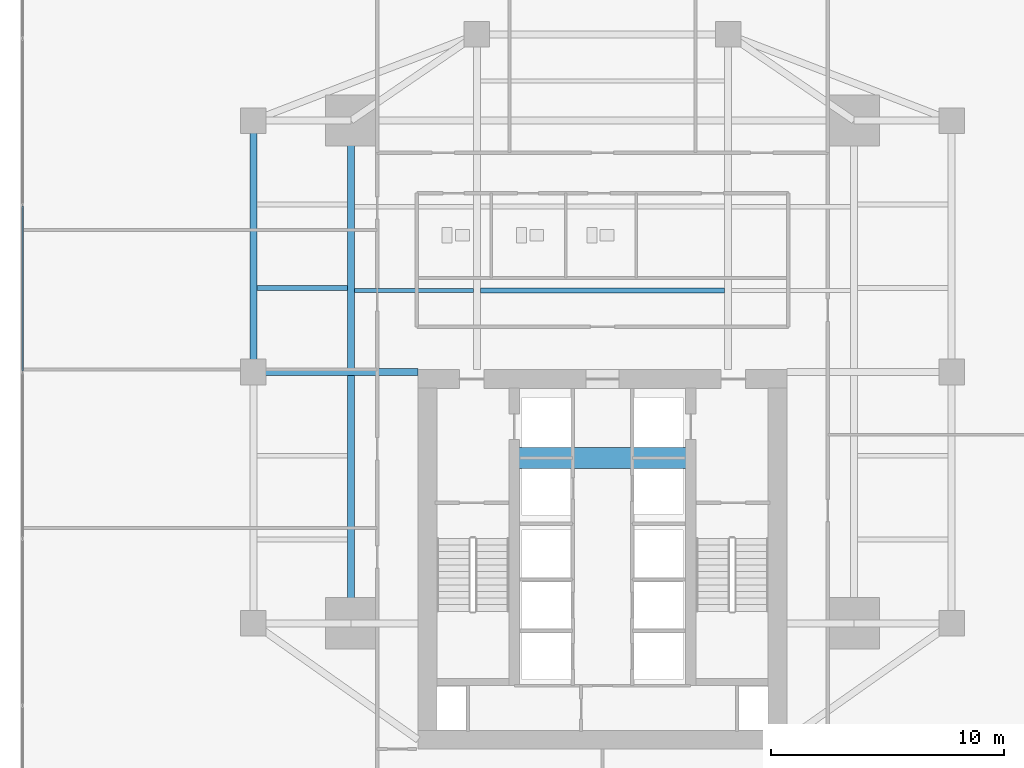
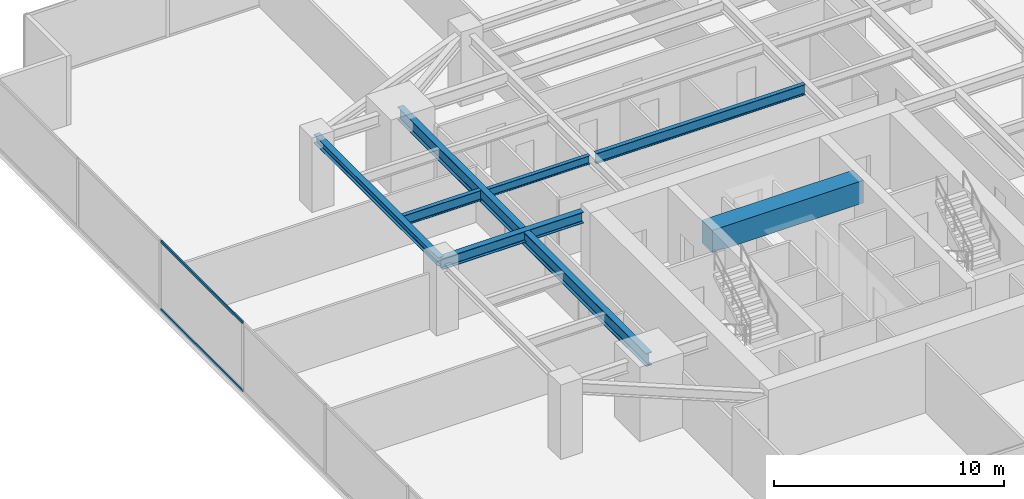
# One storey, part 9 of 28: 7 beams, 2 members, 1 element without a shape of its own.
"""IFC4 building model written with IfcOpenShell, lengths in metres."""

from ifc_helpers import new_model, si_unit, direction, frame, origin, origin_2d, place, context, subcontext, project, spatial, rectangle, hollow_rectangle, i_section, extrude, source, transform, mapped, material, material_profile, profile_set, type_object, type_shapes, element, aggregate, save


model = new_model("IFC4")

# Units and contexts
model_context = context("Model", 3, precision=1e-05, world=origin(), true_north=direction((0.0, 1.0)))
body_context = subcontext(model_context, "Body", "Model", "MODEL_VIEW")
ifc_project = project(units=[si_unit("LENGTHUNIT", "METRE"), si_unit("AREAUNIT", "SQUARE_METRE"), si_unit("VOLUMEUNIT", "CUBIC_METRE"), si_unit("PLANEANGLEUNIT", "RADIAN"), si_unit("MASSUNIT", "GRAM", prefix="KILO")], contexts=[model_context])

# Site, building, storey
site_placement = place(None, origin())
site = spatial("IfcSite", under=ifc_project, at=site_placement, CompositionType="ELEMENT")
building_placement = place(site_placement, origin())
building = spatial("IfcBuilding", under=site, at=building_placement, Name="Krantzveldt Concourse Tower", CompositionType="ELEMENT")
storey_placement = place(building_placement, frame((0.0, 0.0, 32.89990234375)))
storey = spatial("IfcBuildingStorey", under=building, at=storey_placement, Name="L07", CompositionType="ELEMENT", Elevation=32.89990234375)

# Beams
ifc_material_1 = material(Name="Concrete C50/60", Category="concrete")
ifc_material_profile_1 = material_profile(ifc_material_1, rectangle(XDim=0.89990234375, YDim=1.199951171875, at=origin_2d()), Name="Concrete C50/60", Category="concrete")
ifc_profile_set_1 = profile_set([ifc_material_profile_1], Name="Concrete C50/60 - RC-CB 900x1200")
beam_type_1 = type_object("IfcBeamType", Name="BM-CB-1200", PredefinedType="LINTEL", material=ifc_profile_set_1)
shared_shape_1 = source(origin(), body_context, "Body", "SweptSolid", [
    extrude(rectangle(XDim=0.89990234375, YDim=1.199951171875, at=origin_2d()), origin(), (0.0, 0.0, 1.0), 7.580078125),
])
type_shapes(beam_type_1, [shared_shape_1])
beam_1_placement = place(storey_placement, frame((32.2099609375, 23.0, 3.070068359375), z_axis=(1.0, 0.0, 0.0), x_axis=(0.0, 1.0, 0.0)))
element("IfcBeam", 1, at=beam_1_placement, inside=storey, type_object=beam_type_1, Name="CB-L07-01", PredefinedType="LINTEL", context=body_context, shape_type="MappedRepresentation", body=[
    mapped(shared_shape_1, transform((0.0, 0.0, 0.0), x_axis=(1.0, 0.0, 0.0), y_axis=(0.0, 1.0, 0.0), z_axis=(0.0, 0.0, 1.0), scale=1.0)),
])
ifc_material_2 = material(Name="Steel S355J2", Category="steel")
ifc_material_profile_2 = material_profile(ifc_material_2, i_section(OverallWidth=0.300048828125, OverallDepth=0.699951171875, WebThickness=0.01708984375, FlangeThickness=0.031982421875, FilletRadius=0.027099609375, at=origin_2d()), Name="Steel S355J2", Category="steel")
ifc_profile_set_2 = profile_set([ifc_material_profile_2], Name="Steel S355J2 - HEB 700")
beam_type_2 = type_object("IfcBeamType", Name="BM-B-HEB700", PredefinedType="BEAM", material=ifc_profile_set_2)
shared_shape_2 = source(origin(), body_context, "Body", "SweptSolid", [
    extrude(i_section(OverallWidth=0.300048828125, OverallDepth=0.699951171875, WebThickness=0.01708984375, FlangeThickness=0.031982421875, FilletRadius=0.027099609375, at=origin_2d()), origin(), (0.0, 0.0, 1.0), 21.60009765625),
])
type_shapes(beam_type_2, [shared_shape_2])
beam_2_placement = place(storey_placement, frame((25.199951171875, 15.89990234375, 3.320068359375), z_axis=(0.0, 1.0, 0.0), x_axis=(-1.0, 0.0, 0.0)))
element("IfcBeam", 2, at=beam_2_placement, inside=storey, type_object=beam_type_2, Name="L07 Tower Girder BG-MW", PredefinedType="BEAM", context=body_context, shape_type="MappedRepresentation", body=[
    mapped(shared_shape_2, transform((0.0, 0.0, 0.0), x_axis=(1.0, 0.0, 0.0), y_axis=(0.0, 1.0, 0.0), z_axis=(0.0, 0.0, 1.0), scale=1.0)),
])
ifc_material_3 = material(Name="Steel S355JR", Category="steel")
ifc_material_profile_3 = material_profile(ifc_material_3, i_section(OverallWidth=0.300048828125, OverallDepth=0.590087890625, WebThickness=0.012939453125, FlangeThickness=0.02490234375, FilletRadius=0.027099609375, at=origin_2d()), Name="Steel S355JR", Category="steel")
ifc_profile_set_3 = profile_set([ifc_material_profile_3], Name="Steel S355JR - HEA 600")
beam_type_3 = type_object("IfcBeamType", Name="BM-B-HEA600", PredefinedType="BEAM", material=ifc_profile_set_3)
shared_shape_3 = source(origin(), body_context, "Body", "SweptSolid", [
    extrude(i_section(OverallWidth=0.300048828125, OverallDepth=0.590087890625, WebThickness=0.012939453125, FlangeThickness=0.02490234375, FilletRadius=0.027099609375, at=origin_2d()), origin(), (0.0, 0.0, 1.0), 7.080078125),
])
type_shapes(beam_type_3, [shared_shape_3])
beam_3_placement = place(storey_placement, frame((21.0, 26.699951171875, 3.375), z_axis=(1.0, 0.0, 0.0), x_axis=(0.0, 1.0, 0.0)))
element("IfcBeam", 3, at=beam_3_placement, inside=storey, type_object=beam_type_3, Name="L07 Tower Girder BG-CW2", PredefinedType="BEAM", context=body_context, shape_type="MappedRepresentation", body=[
    mapped(shared_shape_3, transform((0.0, 0.0, 0.0), x_axis=(1.0, 0.0, 0.0), y_axis=(0.0, 1.0, 0.0), z_axis=(0.0, 0.0, 1.0), scale=1.0)),
])
ifc_material_profile_4 = material_profile(ifc_material_3, i_section(OverallWidth=0.300048828125, OverallDepth=0.43994140625, WebThickness=0.011474609375, FlangeThickness=0.02099609375, FilletRadius=0.027099609375, at=origin_2d()), Name="Steel S355JR", Category="steel")
ifc_profile_set_4 = profile_set([ifc_material_profile_4], Name="Steel S355JR - HEA 450")
beam_type_4 = type_object("IfcBeamType", Name="BM-SP-HEA450", PredefinedType="SPANDREL", material=ifc_profile_set_4)
shared_shape_4 = source(origin(), body_context, "Body", "SweptSolid", [
    extrude(i_section(OverallWidth=0.300048828125, OverallDepth=0.43994140625, WebThickness=0.011474609375, FlangeThickness=0.02099609375, FilletRadius=0.027099609375, at=origin_2d()), origin(), (0.0, 0.0, 1.0), 10.800048828125),
])
type_shapes(beam_type_4, [shared_shape_4])
beam_4_placement = place(storey_placement, frame((21.0, 26.699951171875, 3.4501953125), z_axis=(0.0, 1.0, 0.0), x_axis=(-1.0, 0.0, 0.0)))
element("IfcBeam", 4, at=beam_4_placement, inside=storey, type_object=beam_type_4, Name="L07 Tower Girder SP-R02", PredefinedType="SPANDREL", context=body_context, shape_type="MappedRepresentation", body=[
    mapped(shared_shape_4, transform((0.0, 0.0, 0.0), x_axis=(1.0, 0.0, 0.0), y_axis=(0.0, 1.0, 0.0), z_axis=(0.0, 0.0, 1.0), scale=1.0)),
])
ifc_material_profile_5 = material_profile(ifc_material_3, i_section(OverallWidth=0.2099609375, OverallDepth=0.550048828125, WebThickness=0.010986328125, FlangeThickness=0.01708984375, FilletRadius=0.02392578125, at=origin_2d()), Name="Steel S355JR", Category="steel")
ifc_profile_set_5 = profile_set([ifc_material_profile_5], Name="Steel S355JR - IPE 550")
beam_type_5 = type_object("IfcBeamType", Name="BM-J-IPE550", PredefinedType="JOIST", material=ifc_profile_set_5)
shared_shape_5 = source(origin(), body_context, "Body", "SweptSolid", [
    extrude(i_section(OverallWidth=0.2099609375, OverallDepth=0.550048828125, WebThickness=0.010986328125, FlangeThickness=0.01708984375, FilletRadius=0.02392578125, at=origin_2d()), origin(), (0.0, 0.0, 1.0), 10.5),
])
beam_5_placement = place(storey_placement, frame((30.75, 30.199951171875, 3.39501953125), z_axis=(1.0, 0.0, 0.0), x_axis=(0.0, 1.0, 0.0)))
element("IfcBeam", 5, at=beam_5_placement, inside=storey, type_object=beam_type_5, Name="L07 Secondary Floor Joist JN-C1", PredefinedType="JOIST", context=body_context, shape_type="MappedRepresentation", body=[
    mapped(shared_shape_5, transform((0.0, 0.0, 0.0), x_axis=(1.0, 0.0, 0.0), y_axis=(0.0, 1.0, 0.0), z_axis=(0.0, 0.0, 1.0), scale=1.0)),
])
ifc_material_profile_6 = material_profile(ifc_material_3, i_section(OverallWidth=0.18994140625, OverallDepth=0.449951171875, WebThickness=0.009521484375, FlangeThickness=0.0146484375, FilletRadius=0.02099609375, at=origin_2d()), Name="Steel S355JR", Category="steel")
ifc_profile_set_6 = profile_set([ifc_material_profile_6], Name="Steel S355JR - IPE 450")
beam_type_6 = type_object("IfcBeamType", Name="BM-J-IPE450", PredefinedType="JOIST", material=ifc_profile_set_6)
shared_shape_6 = source(origin(), body_context, "Body", "SweptSolid", [
    extrude(i_section(OverallWidth=0.18994140625, OverallDepth=0.449951171875, WebThickness=0.009521484375, FlangeThickness=0.0146484375, FilletRadius=0.02099609375, at=origin_2d()), origin(), (0.0, 0.0, 1.0), 5.099853515625),
])
type_shapes(beam_type_6, [shared_shape_6])
beam_6_placement = place(storey_placement, frame((25.35009765625, 30.199951171875, 3.445068359375), z_axis=(1.0, 0.0, 0.0), x_axis=(0.0, 1.0, 0.0)))
element("IfcBeam", 6, at=beam_6_placement, inside=storey, type_object=beam_type_6, Name="L07 Secondary Floor Joist JN-W1", PredefinedType="JOIST", context=body_context, shape_type="MappedRepresentation", body=[
    mapped(shared_shape_6, transform((0.0, 0.0, 0.0), x_axis=(1.0, 0.0, 0.0), y_axis=(0.0, 1.0, 0.0), z_axis=(0.0, 0.0, 1.0), scale=1.0)),
])
shared_shape_7 = source(origin(), body_context, "Body", "SweptSolid", [
    extrude(i_section(OverallWidth=0.2099609375, OverallDepth=0.550048828125, WebThickness=0.010986328125, FlangeThickness=0.01708984375, FilletRadius=0.02392578125, at=origin_2d()), origin(), (0.0, 0.0, 1.0), 3.900146484375),
])
type_shapes(beam_type_5, [shared_shape_5, shared_shape_7])
beam_7_placement = place(storey_placement, frame((21.14990234375, 30.300048828125, 3.39501953125), z_axis=(1.0, 0.0, 0.0), x_axis=(0.0, 1.0, 0.0)))
element("IfcBeam", 7, at=beam_7_placement, inside=storey, type_object=beam_type_5, Name="L07 Secondary Floor Joist JW-3", PredefinedType="JOIST", context=body_context, shape_type="MappedRepresentation", body=[
    mapped(shared_shape_7, transform((0.0, 0.0, 0.0), x_axis=(1.0, 0.0, 0.0), y_axis=(0.0, 1.0, 0.0), z_axis=(0.0, 0.0, 1.0), scale=1.0)),
])

# Curtain wall, members
ifc_material_4 = material(Name="Anodised aluminium 6063-T6", Category="aluminium")
curtain_wall_type = type_object("IfcCurtainWallType", Name="CW2", PredefinedType="USERDEFINED", material=ifc_material_4)
curtain_wall_placement = place(storey_placement, origin())
curtain_wall = element("IfcCurtainWall", 8, at=curtain_wall_placement, inside=storey, type_object=curtain_wall_type, Name="CW-L07-F01", ObjectType="UNITISED CURTAIN WALL", PredefinedType="USERDEFINED")
ifc_material_profile_7 = material_profile(ifc_material_4, hollow_rectangle(XDim=0.070068359375, YDim=0.139892578125, WallThickness=0.0048828125, at=origin_2d()), Name="Anodised aluminium 6063-T6", Category="aluminium")
ifc_profile_set_7 = profile_set([ifc_material_profile_7], Name="Anodised aluminium 6063-T6 - ALU-TRAN 140x70x5")
member_type = type_object("IfcMemberType", Name="CW-TRN-150", PredefinedType="USERDEFINED", material=ifc_profile_set_7)
shared_shape_8 = source(origin(), body_context, "Body", "SweptSolid", [
    extrude(hollow_rectangle(XDim=0.070068359375, YDim=0.139892578125, WallThickness=0.0048828125, at=origin_2d()), origin(), (0.0, 0.0, 1.0), 7.0966796875),
])
type_shapes(member_type, [shared_shape_8])
member_1_placement = place(storey_placement, frame((11.090087890625, 33.831787109375, 0.03515625), z_axis=(0.0, -1.0, 0.0), x_axis=(1.0, 0.0, 0.0)))
member_1 = element("IfcMember", 9, at=member_1_placement, type_object=member_type, Name="CW-Z12 transom 3.1", ObjectType="TRANSOM", PredefinedType="USERDEFINED", context=body_context, shape_type="MappedRepresentation", body=[
    mapped(shared_shape_8, transform((0.0, 0.0, 0.0), x_axis=(1.0, 0.0, 0.0), y_axis=(0.0, 1.0, 0.0), z_axis=(0.0, 0.0, 1.0), scale=1.0)),
])
member_2_placement = place(storey_placement, frame((11.090087890625, 33.831787109375, 3.635009765625), z_axis=(0.0, -1.0, 0.0), x_axis=(1.0, 0.0, 0.0)))
member_2 = element("IfcMember", 10, at=member_2_placement, type_object=member_type, Name="CW-Z12 transom 3.2", ObjectType="TRANSOM", PredefinedType="USERDEFINED", context=body_context, shape_type="MappedRepresentation", body=[
    mapped(shared_shape_8, transform((0.0, 0.0, 0.0), x_axis=(1.0, 0.0, 0.0), y_axis=(0.0, 1.0, 0.0), z_axis=(0.0, 0.0, 1.0), scale=1.0)),
])
aggregate(curtain_wall, [member_1, member_2])

save(model, "model.ifc")
